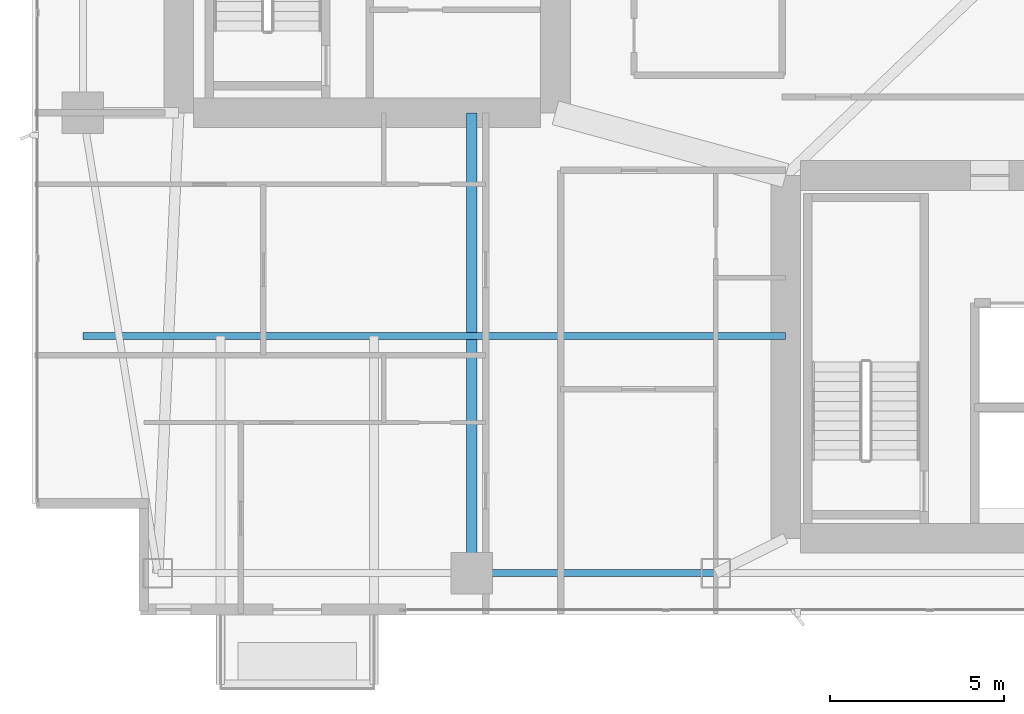
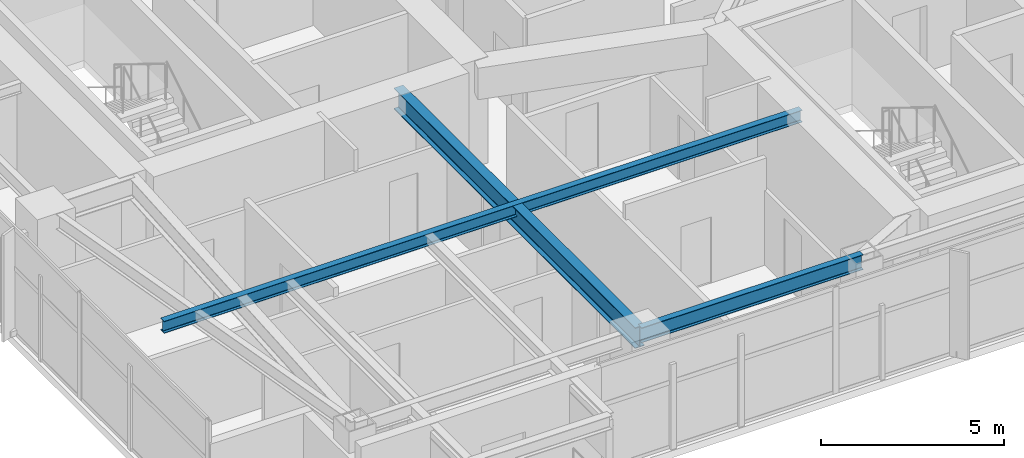
# One storey, part 5 of 29: 3 beams.
"""IFC4 building model written with IfcOpenShell, lengths in metres."""

from ifc_helpers import new_model, si_unit, direction, frame, origin, origin_2d, place, context, subcontext, project, spatial, i_section, extrude, material, material_profile, profile_set, type_object, element, save


model = new_model("IFC4")

# Units and contexts
model_context = context("Model", 3, precision=1e-05, world=origin(), true_north=direction((0.0, 1.0)))
body_context = subcontext(model_context, "Body", "Model", "MODEL_VIEW")
ifc_project = project(units=[si_unit("LENGTHUNIT", "METRE"), si_unit("AREAUNIT", "SQUARE_METRE"), si_unit("VOLUMEUNIT", "CUBIC_METRE"), si_unit("PLANEANGLEUNIT", "RADIAN"), si_unit("MASSUNIT", "GRAM", prefix="KILO")], contexts=[model_context])

# Site, building, storey
site_placement = place(None, origin())
site = spatial("IfcSite", under=ifc_project, at=site_placement, CompositionType="ELEMENT")
building_placement = place(site_placement, origin())
building = spatial("IfcBuilding", under=site, at=building_placement, Name="Calvorn Quay Hotel", CompositionType="ELEMENT")
storey_placement = place(building_placement, frame((0.0, 0.0, 120.199951171875)))
storey = spatial("IfcBuildingStorey", under=building, at=storey_placement, Name="L29", CompositionType="ELEMENT", Elevation=120.199951171875)

# Beams
ifc_material_1 = material(Name="Steel Q390GJC", Category="steel")
ifc_material_profile_1 = material_profile(ifc_material_1, i_section(OverallWidth=0.300048828125, OverallDepth=0.699951171875, WebThickness=0.012939453125, FlangeThickness=0.02392578125, FilletRadius=0.02392578125, at=origin_2d()), Name="HN700x300x13x24")
ifc_profile_set_1 = profile_set([ifc_material_profile_1], Name="Steel Q390GJC")
beam_type_1 = type_object("IfcBeamType", Name="BM-GIRD-MAIN", PredefinedType="BEAM", material=ifc_profile_set_1)
beam_1_placement = place(storey_placement, frame((12.60009765625, 3.60009765625, 3.18994140625), z_axis=(0.0, 1.0, 0.0), x_axis=(-1.0, 0.0, 0.0)))
element("IfcBeam", 1, at=beam_1_placement, inside=storey, type_object=beam_type_1, Name="Beam BG-L29-S1", PredefinedType="BEAM", context=body_context, shape_type="SweptSolid", body=[
    extrude(i_section(OverallWidth=0.300048828125, OverallDepth=0.699951171875, WebThickness=0.012939453125, FlangeThickness=0.02392578125, FilletRadius=0.02392578125, at=origin_2d()), origin(), (0.0, 0.0, 1.0), 13.199951171875),
])
ifc_material_2 = material(Name="Steel Q355B", Category="steel")
ifc_material_profile_2 = material_profile(ifc_material_2, i_section(OverallWidth=0.199951171875, OverallDepth=0.39990234375, WebThickness=0.008056640625, FlangeThickness=0.012939453125, FilletRadius=0.01611328125, at=origin_2d()), Name="HN400x200x8x13")
ifc_profile_set_2 = profile_set([ifc_material_profile_2], Name="Steel Q355B")
beam_type_2 = type_object("IfcBeamType", Name="BM-JOIST-TYP", PredefinedType="JOIST", material=ifc_profile_set_2)
beam_2_placement = place(storey_placement, frame((1.449951171875, 10.39990234375, 3.340087890625), z_axis=(1.0, 0.0, 0.0), x_axis=(0.0, 1.0, 0.0)))
element("IfcBeam", 2, at=beam_2_placement, inside=storey, type_object=beam_type_2, Name="Beam BJ-L29-W1", PredefinedType="JOIST", context=body_context, shape_type="SweptSolid", body=[
    extrude(i_section(OverallWidth=0.199951171875, OverallDepth=0.39990234375, WebThickness=0.008056640625, FlangeThickness=0.012939453125, FilletRadius=0.01611328125, at=origin_2d()), origin(), (0.0, 0.0, 1.0), 20.150146484375),
])
ifc_material_3 = material(Name="Steel Q355B", Category="steel")
ifc_material_profile_3 = material_profile(ifc_material_3, i_section(OverallWidth=0.199951171875, OverallDepth=0.5, WebThickness=0.010009765625, FlangeThickness=0.01611328125, FilletRadius=0.01611328125, at=origin_2d()), Name="HN500x200x10x16")
ifc_profile_set_3 = profile_set([ifc_material_profile_3], Name="Steel Q355B")
beam_type_3 = type_object("IfcBeamType", Name="BM-SPANDREL-Z1", PredefinedType="SPANDREL", material=ifc_profile_set_3)
beam_3_placement = place(storey_placement, frame((12.60009765625, 3.60009765625, 3.2900390625), z_axis=(1.0, 0.0, 0.0), x_axis=(0.0, 1.0, 0.0)))
element("IfcBeam", 3, at=beam_3_placement, inside=storey, type_object=beam_type_3, Name="Beam BSP-L29-S2", PredefinedType="SPANDREL", context=body_context, shape_type="SweptSolid", body=[
    extrude(i_section(OverallWidth=0.199951171875, OverallDepth=0.5, WebThickness=0.010009765625, FlangeThickness=0.01611328125, FilletRadius=0.01611328125, at=origin_2d()), origin(), (0.0, 0.0, 1.0), 7.0),
])

save(model, "model.ifc")
